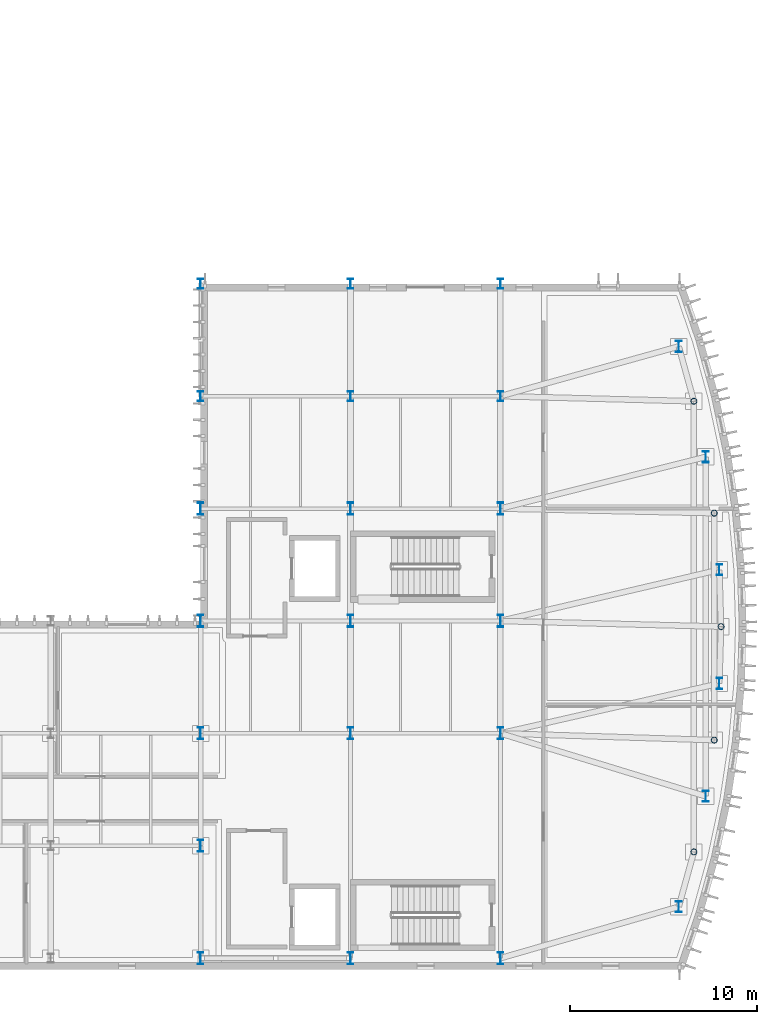
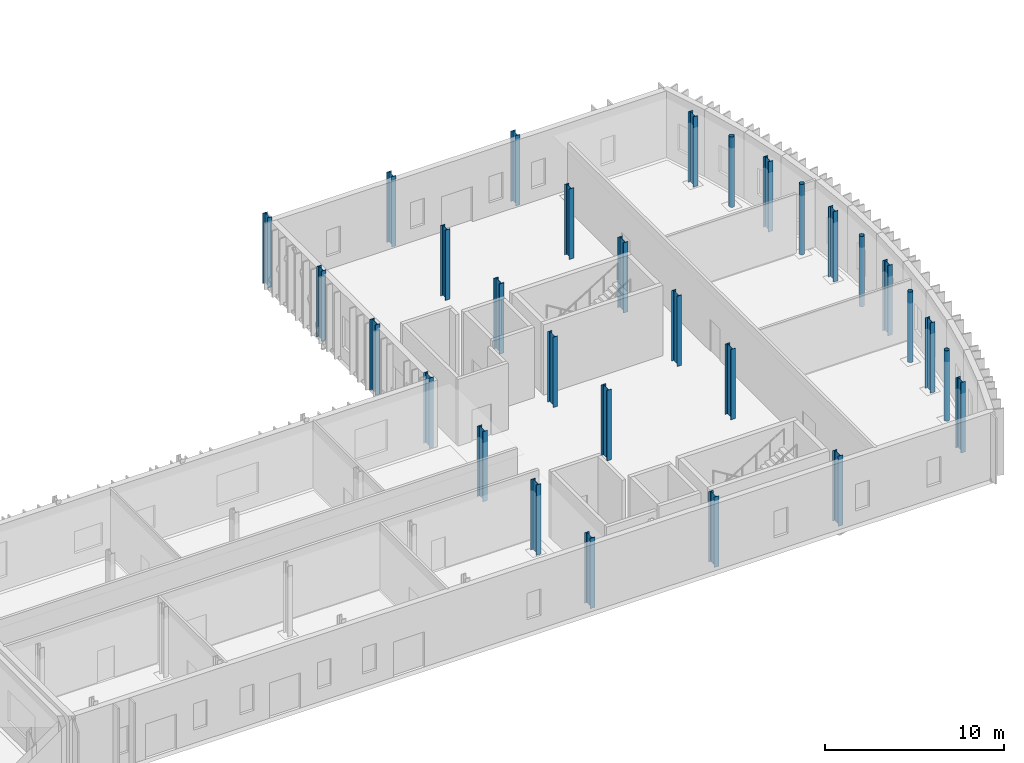
# One storey, part 11 of 60: 30 columns.
"""IFC4 building model written with IfcOpenShell, lengths in metres."""

from ifc_helpers import new_model, si_unit, direction, frame, origin, origin_2d, place, context, subcontext, project, spatial, hollow_circle, i_section, extrude, material, material_profile, profile_set, type_object, element, save


model = new_model("IFC4")

# Units and contexts
model_context = context("Model", 3, precision=1e-05, world=origin(), true_north=direction((0.0, 1.0)))
body_context = subcontext(model_context, "Body", "Model", "MODEL_VIEW")
ifc_project = project(units=[si_unit("LENGTHUNIT", "METRE"), si_unit("AREAUNIT", "SQUARE_METRE"), si_unit("VOLUMEUNIT", "CUBIC_METRE"), si_unit("PLANEANGLEUNIT", "RADIAN"), si_unit("MASSUNIT", "GRAM", prefix="KILO")], contexts=[model_context])

# Site, building, storey
site_placement = place(None, origin())
site = spatial("IfcSite", under=ifc_project, at=site_placement, CompositionType="ELEMENT")
building_placement = place(site_placement, origin())
building = spatial("IfcBuilding", under=site, at=building_placement, Name="Cymarion Research Institute", CompositionType="ELEMENT")
storey_placement = place(building_placement, origin())
storey = spatial("IfcBuildingStorey", under=building, at=storey_placement, Name="L00", CompositionType="ELEMENT", Elevation=0.0)

# Columns
ifc_material = material(Name="Steel S355", Category="steel")
ifc_material_profile_1 = material_profile(ifc_material, i_section(OverallWidth=0.300048828125, OverallDepth=0.64990234375, WebThickness=0.01611328125, FlangeThickness=0.031005859375, FilletRadius=0.027099609375, at=origin_2d()), Name="HEB 650")
ifc_profile_set_1 = profile_set([ifc_material_profile_1], Name="Steel S355")
column_type_1 = type_object("IfcColumnType", Name="STRUCTURAL COLUMN C01 HEB 650", PredefinedType="COLUMN", material=ifc_profile_set_1)
for number, where, z_axis, x_axis, name in (
    (1, (138.60009765625, 5.5, 0.0), (0.0, 0.0, 1.0), (1.0, 0.0, 0.0), "L00 V1 column C01 #414"),
    (2, (138.60009765625, 11.5, 0.0), (0.0, 0.0, 1.0), (1.0, 0.0, 0.0), "L00 V1 column C01 #415"),
    (3, (138.60009765625, 17.5, 0.0), (0.0, 0.0, 1.0), (1.0, 0.0, 0.0), "L00 V1 column C01 #416"),
    (4, (138.60009765625, 23.5, 0.0), (0.0, 0.0, 1.0), (1.0, 0.0, 0.0), "L00 V1 column C01 #417"),
    (5, (138.60009765625, 29.5, 0.0), (0.0, 0.0, 1.0), (1.0, 0.0, 0.0), "L00 V1 column C01 #418"),
    (6, (146.60009765625, 5.5, 0.0), (0.0, 0.0, 1.0), (1.0, 0.0, 0.0), "L00 V1 column C01 #421"),
    (7, (146.60009765625, 17.5, 0.0), (0.0, 0.0, 1.0), (1.0, 0.0, 0.0), "L00 V1 column C01 #422"),
    (8, (146.60009765625, 23.5, 0.0), (0.0, 0.0, 1.0), (1.0, 0.0, 0.0), "L00 V1 column C01 #423"),
    (9, (146.60009765625, 29.5, 0.0), (0.0, 0.0, 1.0), (1.0, 0.0, 0.0), "L00 V1 column C01 #424"),
    (10, (154.60009765625, 5.5, 0.0), (0.0, 0.0, 1.0), (1.0, 0.0, 0.0), "L00 V1 column C01 #427"),
    (11, (154.60009765625, 17.5, 0.0), (0.0, 0.0, 1.0), (1.0, 0.0, 0.0), "L00 V1 column C01 #428"),
    (12, (154.60009765625, 23.5, 0.0), (0.0, 0.0, 1.0), (1.0, 0.0, 0.0), "L00 V1 column C01 #429"),
    (13, (154.60009765625, 29.5, 0.0), (0.0, 0.0, 1.0), (1.0, 0.0, 0.0), "L00 V1 column C01 #430"),
):
    element("IfcColumn", number, at=place(storey_placement, frame(where, z_axis=z_axis, x_axis=x_axis)), inside=storey, type_object=column_type_1, Name=name, PredefinedType="COLUMN", context=body_context, shape_type="SweptSolid", body=[
        extrude(i_section(OverallWidth=0.300048828125, OverallDepth=0.64990234375, WebThickness=0.01611328125, FlangeThickness=0.031005859375, FilletRadius=0.027099609375, at=origin_2d()), origin(), (0.0, 0.0, 1.0), 4.800048828125),
    ])
ifc_material_profile_2 = material_profile(ifc_material, i_section(OverallWidth=0.300048828125, OverallDepth=0.60009765625, WebThickness=0.015380859375, FlangeThickness=0.030029296875, FilletRadius=0.027099609375, at=origin_2d()), Name="HEB 600")
ifc_profile_set_2 = profile_set([ifc_material_profile_2], Name="Steel S355")
column_type_2 = type_object("IfcColumnType", Name="STRUCTURAL COLUMN C02 HEB 600", PredefinedType="COLUMN", material=ifc_profile_set_2)
for number, where, z_axis, x_axis, name in (
    (14, (164.118896484375, 8.2470703125, 0.0), (0.0, 0.0, 1.0), (1.0, 0.0, 0.0), "L00 V1 column C02 #433"),
    (15, (164.118896484375, 38.153076171875, 0.0), (0.0, 0.0, 1.0), (1.0, 0.0, 0.0), "L00 V1 column C02 #434"),
    (16, (165.559814453125, 14.1416015625, 0.0), (0.0, 0.0, 1.0), (1.0, 0.0, 0.0), "L00 V1 column C02 #437"),
    (17, (165.559814453125, 32.258544921875, 0.0), (0.0, 0.0, 1.0), (1.0, 0.0, 0.0), "L00 V1 column C02 #438"),
    (18, (166.285400390625, 20.166015625, 0.0), (0.0, 0.0, 1.0), (1.0, 0.0, 0.0), "L00 V1 column C02 #441"),
    (19, (166.285400390625, 26.23388671875, 0.0), (0.0, 0.0, 1.0), (1.0, 0.0, 0.0), "L00 V1 column C02 #442"),
):
    element("IfcColumn", number, at=place(storey_placement, frame(where, z_axis=z_axis, x_axis=x_axis)), inside=storey, type_object=column_type_2, Name=name, PredefinedType="COLUMN", context=body_context, shape_type="SweptSolid", body=[
        extrude(i_section(OverallWidth=0.300048828125, OverallDepth=0.60009765625, WebThickness=0.015380859375, FlangeThickness=0.030029296875, FilletRadius=0.027099609375, at=origin_2d()), origin(), (0.0, 0.0, 1.0), 4.800048828125),
    ])
ifc_material_profile_3 = material_profile(ifc_material, i_section(OverallWidth=0.300048828125, OverallDepth=0.550048828125, WebThickness=0.014892578125, FlangeThickness=0.029052734375, FilletRadius=0.027099609375, at=origin_2d()), Name="HEB 550")
ifc_profile_set_3 = profile_set([ifc_material_profile_3], Name="Steel S355")
column_type_3 = type_object("IfcColumnType", Name="STRUCTURAL COLUMN C03 HEB 550", PredefinedType="COLUMN", material=ifc_profile_set_3)
for number, where, z_axis, x_axis, name in (
    (20, (138.60009765625, 35.5, 0.0), (0.0, 0.0, 1.0), (1.0, 0.0, 0.0), "L00 V1 column C03 #419"),
    (21, (138.60009765625, 41.5, 0.0), (0.0, 0.0, 1.0), (1.0, 0.0, 0.0), "L00 V1 column C03 #420"),
    (22, (146.60009765625, 35.5, 0.0), (0.0, 0.0, 1.0), (1.0, 0.0, 0.0), "L00 V1 column C03 #425"),
    (23, (146.60009765625, 41.5, 0.0), (0.0, 0.0, 1.0), (1.0, 0.0, 0.0), "L00 V1 column C03 #426"),
    (24, (154.60009765625, 35.5, 0.0), (0.0, 0.0, 1.0), (1.0, 0.0, 0.0), "L00 V1 column C03 #431"),
    (25, (154.60009765625, 41.5, 0.0), (0.0, 0.0, 1.0), (1.0, 0.0, 0.0), "L00 V1 column C03 #432"),
):
    element("IfcColumn", number, at=place(storey_placement, frame(where, z_axis=z_axis, x_axis=x_axis)), inside=storey, type_object=column_type_3, Name=name, PredefinedType="COLUMN", context=body_context, shape_type="SweptSolid", body=[
        extrude(i_section(OverallWidth=0.300048828125, OverallDepth=0.550048828125, WebThickness=0.014892578125, FlangeThickness=0.029052734375, FilletRadius=0.027099609375, at=origin_2d()), origin(), (0.0, 0.0, 1.0), 4.800048828125),
    ])
ifc_material_profile_4 = material_profile(ifc_material, hollow_circle(Radius=0.161865234375, WallThickness=0.01611328125, at=origin_2d()), Name="CHS 323.9x16")
ifc_profile_set_4 = profile_set([ifc_material_profile_4], Name="Steel S355")
column_type_4 = type_object("IfcColumnType", Name="STRUCTURAL COLUMN C16 CHS 323.9x16", PredefinedType="COLUMN", material=ifc_profile_set_4)
for number, where, z_axis, x_axis, name in (
    (26, (164.927734375, 11.172607421875, 0.0), (0.0, 0.0, 1.0), (1.0, 0.0, 0.0), "L00 V1 column C16 #435"),
    (27, (164.927734375, 35.227294921875, 0.0), (0.0, 0.0, 1.0), (1.0, 0.0, 0.0), "L00 V1 column C16 #436"),
    (28, (166.012939453125, 17.142822265625, 0.0), (0.0, 0.0, 1.0), (1.0, 0.0, 0.0), "L00 V1 column C16 #439"),
    (29, (166.012939453125, 29.257080078125, 0.0), (0.0, 0.0, 1.0), (1.0, 0.0, 0.0), "L00 V1 column C16 #440"),
    (30, (166.37646484375, 23.199951171875, 0.0), (0.0, 0.0, 1.0), (1.0, 0.0, 0.0), "L00 V1 column C16 #443"),
):
    element("IfcColumn", number, at=place(storey_placement, frame(where, z_axis=z_axis, x_axis=x_axis)), inside=storey, type_object=column_type_4, Name=name, PredefinedType="COLUMN", context=body_context, shape_type="SweptSolid", body=[
        extrude(hollow_circle(Radius=0.161865234375, WallThickness=0.01611328125, at=origin_2d()), origin(), (0.0, 0.0, 1.0), 4.800048828125),
    ])

save(model, "model.ifc")
